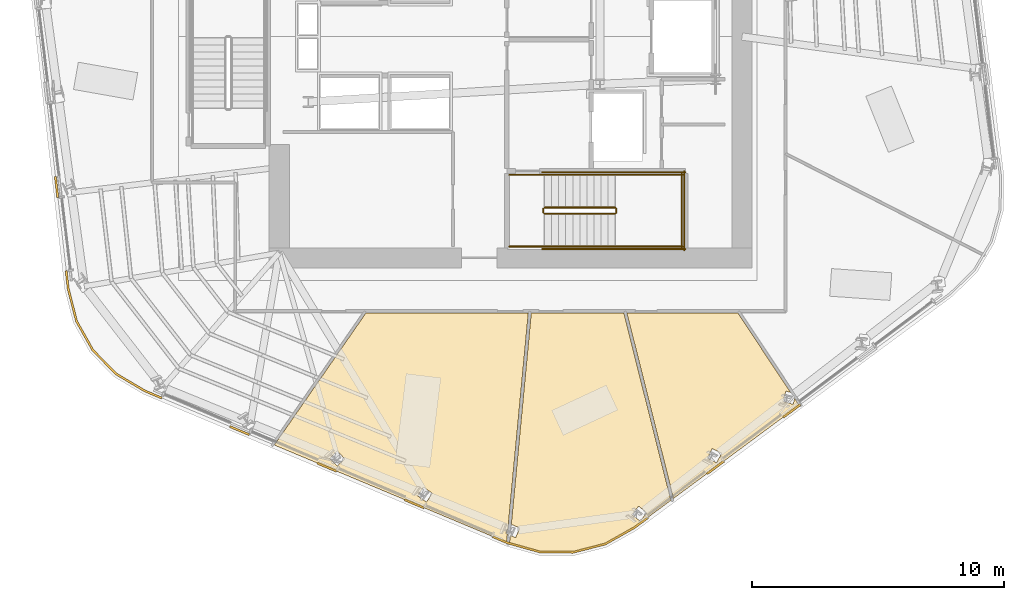
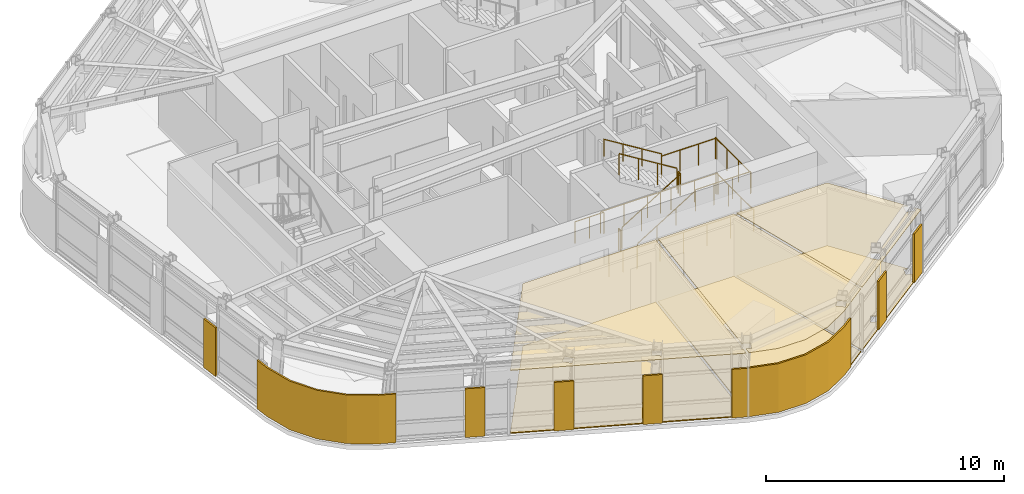
# One storey, part 10 of 14: 14 coverings, 14 railings.
"""IFC4 building model written with IfcOpenShell, lengths in metres."""

from ifc_helpers import new_model, si_unit, direction, frame, origin, origin_2d, place, context, subcontext, project, spatial, polyline, circle, outline, extrude, material, layer, layer_set, type_object, element, save


model = new_model("IFC4")

# Units and contexts
model_context = context("Model", 3, precision=1e-05, world=origin(), true_north=direction((0.0, 1.0)))
body_context = subcontext(model_context, "Body", "Model", "MODEL_VIEW")
ifc_project = project(units=[si_unit("LENGTHUNIT", "METRE"), si_unit("AREAUNIT", "SQUARE_METRE"), si_unit("VOLUMEUNIT", "CUBIC_METRE"), si_unit("PLANEANGLEUNIT", "RADIAN"), si_unit("MASSUNIT", "GRAM", prefix="KILO")], contexts=[model_context])

# Site, building, storey
site_placement = place(None, origin())
site = spatial("IfcSite", under=ifc_project, at=site_placement, CompositionType="ELEMENT")
building_placement = place(site_placement, origin())
building = spatial("IfcBuilding", under=site, at=building_placement, Name="Valkerne Bourse Tower", CompositionType="ELEMENT")
storey_placement = place(building_placement, frame((0.0, 0.0, 181.800048828125)))
storey = spatial("IfcBuildingStorey", under=building, at=storey_placement, Name="L46", CompositionType="ELEMENT", Elevation=181.800048828125)

# Coverings
ifc_material_1 = material(Name="Mineral Fiber Acoustic Ceiling Tile", Category="acoustic")
ifc_layer_1 = layer(ifc_material_1, 0.02490234375)
ifc_layer_set_1 = layer_set([ifc_layer_1], Name="Mineral Fiber Acoustic Ceiling Tile")
covering_type_1 = type_object("IfcCoveringType", Name="COV-CEIL-ACT", PredefinedType="CEILING", material=ifc_layer_set_1)
covering_1_placement = place(storey_placement, frame((0.0, 0.0, 3.22998046875)))
element("IfcCovering", 1, at=covering_1_placement, inside=storey, type_object=covering_type_1, Name="L46 Suspended Ceiling 04", PredefinedType="CEILING", context=body_context, shape_type="SweptSolid", body=[
    extrude(outline(polyline([(55.830078125, 16.010986328125), (57.931884765625, 12.84765625), (57.746337890625, 12.900146484375), (57.744384765625, 12.898681640625), (57.6298828125, 12.490478515625), (58.028076171875, 12.377685546875), (58.0302734375, 12.379150390625), (58.093505859375, 12.6044921875), (58.272216796875, 12.335693359375), (53.274169921875, 8.63330078125), (51.421142578125, 16.010986328125), (55.830078125, 16.010986328125)]), holes=[polyline([(54.989501953125, 10.05126953125), (55.1845703125, 10.427490234375), (54.817626953125, 10.618896484375), (54.815185546875, 10.617919921875), (54.6201171875, 10.24169921875), (54.987060546875, 10.050048828125), (54.989501953125, 10.05126953125)])]), origin(), (0.0, 0.0, 1.0), 0.02490234375),
])
covering_2_placement = place(storey_placement, frame((0.0, 0.0, 3.22998046875)))
element("IfcCovering", 2, at=covering_2_placement, inside=storey, type_object=covering_type_1, Name="L46 Suspended Ceiling 07", PredefinedType="CEILING", context=body_context, shape_type="SweptSolid", body=[
    extrude(outline(polyline([(49.281005859375, 6.499267578125), (47.96142578125, 6.51318359375), (46.75439453125, 6.85009765625), (46.78466796875, 7.168212890625), (46.99462890625, 7.077880859375), (46.99755859375, 7.077880859375), (47.16015625, 7.458984375), (46.82568359375, 7.602783203125), (47.62060546875, 16.010986328125), (51.29931640625, 16.010986328125), (53.171630859375, 8.557373046875), (51.71728515625, 7.47998046875), (50.558837890625, 6.827392578125), (49.281005859375, 6.499267578125)]), holes=[polyline([(52.212158203125, 8.068115234375), (51.887939453125, 8.325439453125), (51.885009765625, 8.32470703125), (51.622802734375, 7.991943359375), (51.947021484375, 7.734619140625), (51.949951171875, 7.7353515625), (52.212158203125, 8.068115234375)])]), origin(), (0.0, 0.0, 1.0), 0.02490234375),
])
covering_3_placement = place(storey_placement, frame((0.0, 0.0, 3.22998046875)))
element("IfcCovering", 3, at=covering_3_placement, inside=storey, type_object=covering_type_1, Name="L46 Suspended Ceiling 09", PredefinedType="CEILING", context=body_context, shape_type="SweptSolid", body=[
    extrude(outline(polyline([(47.501953125, 16.010986328125), (46.692626953125, 7.44873046875), (46.605712890625, 7.2451171875), (46.670654296875, 7.21728515625), (46.6396484375, 6.8876953125), (37.404052734375, 10.7568359375), (41.048828125, 16.010986328125), (47.501953125, 16.010986328125)]), holes=[polyline([(43.336181640625, 9.0751953125), (43.333740234375, 9.07568359375), (43.102294921875, 8.73193359375), (43.453125, 8.49462890625), (43.455810546875, 8.494140625), (43.68701171875, 8.837890625), (43.336181640625, 9.0751953125)]), polyline([(39.908447265625, 10.513671875), (39.906005859375, 10.5146484375), (39.609619140625, 10.225341796875), (39.90478515625, 9.921630859375), (39.906982421875, 9.920654296875), (40.20361328125, 10.2099609375), (39.908447265625, 10.513671875)])]), origin(), (0.0, 0.0, 1.0), 0.02490234375),
])
ifc_material_2 = material(Name="Bronze Anodised Aluminium AA 6063-T6", Category="aluminium")
ifc_layer_2 = layer(ifc_material_2, 0.06005859375)
ifc_layer_set_2 = layer_set([ifc_layer_2], Name="Bronze Anodised Aluminium AA 6063-T6")
covering_type_2 = type_object("IfcCoveringType", Name="COV-CRN-ALUM", PredefinedType="CLADDING", material=ifc_layer_set_2)
covering_4_placement = place(storey_placement, origin())
element("IfcCovering", 4, at=covering_4_placement, inside=storey, type_object=covering_type_2, Name="L46 Wind-Shaped Corner Aluminium Cladding 03", PredefinedType="CLADDING", context=body_context, shape_type="SweptSolid", body=[
    extrude(outline(polyline([(57.664306640625, 11.83056640625), (57.6162109375, 11.89453125), (58.291259765625, 12.39453125), (58.33935546875, 12.330810546875), (57.664306640625, 11.83056640625)])), origin(), (0.0, 0.0, 1.0), 2.5),
])
covering_5_placement = place(storey_placement, origin())
element("IfcCovering", 5, at=covering_5_placement, inside=storey, type_object=covering_type_2, Name="L46 Wind-Shaped Corner Aluminium Cladding 04", PredefinedType="CLADDING", context=body_context, shape_type="SweptSolid", body=[
    extrude(outline(polyline([(54.634033203125, 9.5859375), (54.586181640625, 9.64990234375), (55.260986328125, 10.14990234375), (55.30908203125, 10.0859375), (54.634033203125, 9.5859375)])), origin(), (0.0, 0.0, 1.0), 2.5),
])
covering_6_placement = place(storey_placement, origin())
element("IfcCovering", 6, at=covering_6_placement, inside=storey, type_object=covering_type_2, Name="L46 Wind-Shaped Corner Aluminium Cladding 05", PredefinedType="CLADDING", context=body_context, shape_type="SweptSolid", body=[
    extrude(outline(polyline([(51.7412109375, 7.443115234375), (50.575439453125, 6.7861328125), (49.2861328125, 6.455078125), (47.955078125, 6.46923828125), (46.666259765625, 6.828857421875), (46.04931640625, 7.08740234375), (46.080810546875, 7.160888671875), (46.692626953125, 6.90478515625), (47.966552734375, 6.549072265625), (49.276611328125, 6.535400390625), (50.54541015625, 6.861083984375), (51.69775390625, 7.51025390625), (52.230712890625, 7.9052734375), (52.27880859375, 7.84130859375), (51.7412109375, 7.443115234375)])), origin(), (0.0, 0.0, 1.0), 2.5),
])
covering_7_placement = place(storey_placement, origin())
element("IfcCovering", 7, at=covering_7_placement, inside=storey, type_object=covering_type_2, Name="L46 Wind-Shaped Corner Aluminium Cladding 06", PredefinedType="CLADDING", context=body_context, shape_type="SweptSolid", body=[
    extrude(outline(polyline([(42.5712890625, 8.54443359375), (42.6025390625, 8.6181640625), (43.377197265625, 8.29345703125), (43.345947265625, 8.219970703125), (42.5712890625, 8.54443359375)])), origin(), (0.0, 0.0, 1.0), 2.5),
])
covering_8_placement = place(storey_placement, origin())
element("IfcCovering", 8, at=covering_8_placement, inside=storey, type_object=covering_type_2, Name="L46 Wind-Shaped Corner Aluminium Cladding 07", PredefinedType="CLADDING", context=body_context, shape_type="SweptSolid", body=[
    extrude(outline(polyline([(39.093017578125, 10.001708984375), (39.124267578125, 10.0751953125), (39.899169921875, 9.750732421875), (39.86767578125, 9.677001953125), (39.093017578125, 10.001708984375)])), origin(), (0.0, 0.0, 1.0), 2.5),
])
covering_9_placement = place(storey_placement, origin())
element("IfcCovering", 9, at=covering_9_placement, inside=storey, type_object=covering_type_2, Name="L46 Wind-Shaped Corner Aluminium Cladding 08", PredefinedType="CLADDING", context=body_context, shape_type="SweptSolid", body=[
    extrude(outline(polyline([(35.61474609375, 11.458740234375), (35.646240234375, 11.5322265625), (36.4208984375, 11.207763671875), (36.389404296875, 11.13427734375), (35.61474609375, 11.458740234375)])), origin(), (0.0, 0.0, 1.0), 2.5),
])
covering_10_placement = place(storey_placement, origin())
element("IfcCovering", 10, at=covering_10_placement, inside=storey, type_object=covering_type_2, Name="L46 Wind-Shaped Corner Aluminium Cladding 09", PredefinedType="CLADDING", context=body_context, shape_type="SweptSolid", body=[
    extrude(outline(polyline([(32.239990234375, 12.87255859375), (31.0888671875, 13.553466796875), (30.157470703125, 14.50439453125), (29.50390625, 15.6640625), (29.17138671875, 16.95947265625), (29.088623046875, 17.682861328125), (29.16796875, 17.6923828125), (29.250244140625, 16.97412109375), (29.578857421875, 15.694091796875), (30.221923828125, 14.552978515625), (31.138671875, 13.616943359375), (32.27587890625, 12.944091796875), (32.942626953125, 12.664794921875), (32.911376953125, 12.59130859375), (32.239990234375, 12.87255859375)])), origin(), (0.0, 0.0, 1.0), 2.5),
])
covering_11_placement = place(storey_placement, origin())
element("IfcCovering", 11, at=covering_11_placement, inside=storey, type_object=covering_type_2, Name="L46 Wind-Shaped Corner Aluminium Cladding 10", PredefinedType="CLADDING", context=body_context, shape_type="SweptSolid", body=[
    extrude(outline(polyline([(28.65966796875, 21.42919921875), (28.739013671875, 21.43896484375), (28.834716796875, 20.604248046875), (28.755126953125, 20.5947265625), (28.65966796875, 21.42919921875)])), origin(), (0.0, 0.0, 1.0), 2.5),
])
ifc_material_3 = material(Name="Galvanised Painted Steel", Category="steel")
ifc_layer_3 = layer(ifc_material_3, 0.044921875)
ifc_layer_set_3 = layer_set([ifc_layer_3], Name="Galvanised Painted Steel")
covering_type_3 = type_object("IfcCoveringType", Name="COV-FLR-RAF", PredefinedType="FLOORING", material=ifc_layer_set_3)
covering_12_placement = place(storey_placement, origin())
element("IfcCovering", 12, at=covering_12_placement, inside=storey, type_object=covering_type_3, Name="L46 Floor Finish 07", PredefinedType="FLOORING", context=body_context, shape_type="SweptSolid", body=[
    extrude(outline(polyline([(49.281005859375, 6.499267578125), (47.96142578125, 6.51318359375), (46.75439453125, 6.85009765625), (46.78466796875, 7.168212890625), (46.99462890625, 7.077880859375), (46.99755859375, 7.077880859375), (47.16015625, 7.458984375), (46.82568359375, 7.602783203125), (47.62060546875, 16.010986328125), (51.29931640625, 16.010986328125), (53.171630859375, 8.557373046875), (51.71728515625, 7.47998046875), (50.558837890625, 6.827392578125), (49.281005859375, 6.499267578125)]), holes=[polyline([(52.212158203125, 8.068115234375), (51.887939453125, 8.325439453125), (51.885009765625, 8.32470703125), (51.622802734375, 7.991943359375), (51.947021484375, 7.734619140625), (51.949951171875, 7.7353515625), (52.212158203125, 8.068115234375)])]), origin(), (0.0, 0.0, 1.0), 0.044921875),
])
covering_13_placement = place(storey_placement, origin())
element("IfcCovering", 13, at=covering_13_placement, inside=storey, type_object=covering_type_3, Name="L46 Floor Finish 09", PredefinedType="FLOORING", context=body_context, shape_type="SweptSolid", body=[
    extrude(outline(polyline([(47.501953125, 16.010986328125), (46.692626953125, 7.44873046875), (46.605712890625, 7.2451171875), (46.670654296875, 7.21728515625), (46.6396484375, 6.8876953125), (37.404052734375, 10.7568359375), (41.048828125, 16.010986328125), (47.501953125, 16.010986328125)]), holes=[polyline([(43.336181640625, 9.0751953125), (43.333740234375, 9.07568359375), (43.102294921875, 8.73193359375), (43.453125, 8.49462890625), (43.455810546875, 8.494140625), (43.68701171875, 8.837890625), (43.336181640625, 9.0751953125)]), polyline([(39.908447265625, 10.513671875), (39.906005859375, 10.5146484375), (39.609619140625, 10.225341796875), (39.90478515625, 9.921630859375), (39.906982421875, 9.920654296875), (40.20361328125, 10.2099609375), (39.908447265625, 10.513671875)])]), origin(), (0.0, 0.0, 1.0), 0.044921875),
])
ifc_material_4 = material(Name="Polished Granite Stone", Category="masonry")
ifc_layer_4 = layer(ifc_material_4, 0.030029296875)
ifc_layer_set_4 = layer_set([ifc_layer_4], Name="Polished Granite Stone")
covering_type_4 = type_object("IfcCoveringType", Name="COV-FLR-TERRAZZO", PredefinedType="FLOORING", material=ifc_layer_set_4)
covering_14_placement = place(storey_placement, origin())
element("IfcCovering", 14, at=covering_14_placement, inside=storey, type_object=covering_type_4, Name="L46 Floor Finish 04", PredefinedType="FLOORING", context=body_context, shape_type="SweptSolid", body=[
    extrude(outline(polyline([(55.830078125, 16.010986328125), (57.931884765625, 12.84765625), (57.746337890625, 12.900146484375), (57.744384765625, 12.898681640625), (57.6298828125, 12.490478515625), (58.028076171875, 12.377685546875), (58.0302734375, 12.379150390625), (58.093505859375, 12.6044921875), (58.272216796875, 12.335693359375), (53.274169921875, 8.63330078125), (51.421142578125, 16.010986328125), (55.830078125, 16.010986328125)]), holes=[polyline([(54.989501953125, 10.05126953125), (55.1845703125, 10.427490234375), (54.817626953125, 10.618896484375), (54.815185546875, 10.617919921875), (54.6201171875, 10.24169921875), (54.987060546875, 10.050048828125), (54.989501953125, 10.05126953125)])]), origin(), (0.0, 0.0, 1.0), 0.030029296875),
])

# Railings
railing_type_1 = type_object("IfcRailingType", Name="RLG-ST-GUARD-1120", PredefinedType="GUARDRAIL", material=ifc_material_3)
railing_1_placement = place(storey_placement, frame((48.14990234375, 19.949951171875, 0.172607421875)))
element("IfcRailing", 15, at=railing_1_placement, inside=storey, type_object=railing_type_1, Name="L46 ST-1 stair guard 1", PredefinedType="GUARDRAIL", context=body_context, shape_type="SweptSolid", body=[
    extrude(circle(Radius=0.02392578125, at=origin_2d()), frame((0.0, 0.0, 1.09619140625), z_axis=(0.851089632645, 0.0, 0.525020415988), x_axis=(0.0, 1.0, 0.0)), (0.0, 0.0, 1.0), 3.2900390625),
    extrude(circle(Radius=0.02099609375, at=origin_2d()), origin(), (0.0, 0.0, 1.0), 1.072021484375),
    extrude(circle(Radius=0.02099609375, at=origin_2d()), frame((0.933349609375, 0.0, 0.57568359375)), (0.0, 0.0, 1.0), 1.072021484375),
    extrude(circle(Radius=0.02099609375, at=origin_2d()), frame((1.86669921875, 0.0, 1.151611328125)), (0.0, 0.0, 1.0), 1.072021484375),
    extrude(circle(Radius=0.02099609375, at=origin_2d()), frame((2.800048828125, 0.0, 1.727294921875)), (0.0, 0.0, 1.0), 1.072021484375),
])
railing_2_placement = place(storey_placement, frame((51.0, 20.0, 1.89990234375)))
element("IfcRailing", 16, at=railing_2_placement, inside=storey, type_object=railing_type_1, Name="L46 ST-1 stair guard 2", PredefinedType="GUARDRAIL", context=body_context, shape_type="SweptSolid", body=[
    extrude(circle(Radius=0.02392578125, at=origin_2d()), frame((0.0, 0.0, 1.09619140625), z_axis=(0.0, 1.0, 0.0), x_axis=(-1.0, 0.0, 0.0)), (0.0, 0.0, 1.0), 0.14990234375),
    extrude(circle(Radius=0.02099609375, at=origin_2d()), origin(), (0.0, 0.0, 1.0), 1.072021484375),
    extrude(circle(Radius=0.02099609375, at=origin_2d()), frame((0.0, 0.14990234375, 0.0)), (0.0, 0.0, 1.0), 1.072021484375),
])
for number, where, name in (
    (17, (50.949951171875, 18.64990234375, 1.89990234375), "L46 ST-1 stair guard 3"),
    (18, (50.949951171875, 21.5, 1.89990234375), "L46 ST-1 stair guard 4"),
):
    element("IfcRailing", number, at=place(storey_placement, frame(where)), inside=storey, type_object=railing_type_1, Name=name, PredefinedType="GUARDRAIL", context=body_context, shape_type="SweptSolid", body=[
        extrude(circle(Radius=0.02392578125, at=origin_2d()), frame((0.0, 0.0, 1.09619140625), z_axis=(1.0, 0.0, 0.0), x_axis=(0.0, 1.0, 0.0)), (0.0, 0.0, 1.0), 2.699951171875),
        extrude(circle(Radius=0.02099609375, at=origin_2d()), origin(), (0.0, 0.0, 1.0), 1.072021484375),
        extrude(circle(Radius=0.02099609375, at=origin_2d()), frame((0.89990234375, 0.0, 0.0)), (0.0, 0.0, 1.0), 1.072021484375),
        extrude(circle(Radius=0.02099609375, at=origin_2d()), frame((1.800048828125, 0.0, 0.0)), (0.0, 0.0, 1.0), 1.072021484375),
        extrude(circle(Radius=0.02099609375, at=origin_2d()), frame((2.699951171875, 0.0, 0.0)), (0.0, 0.0, 1.0), 1.072021484375),
    ])
railing_3_placement = place(storey_placement, frame((53.60009765625, 18.60009765625, 1.89990234375)))
element("IfcRailing", 19, at=railing_3_placement, inside=storey, type_object=railing_type_1, Name="L46 ST-1 stair guard 5", PredefinedType="GUARDRAIL", context=body_context, shape_type="SweptSolid", body=[
    extrude(circle(Radius=0.02392578125, at=origin_2d()), frame((0.0, 0.0, 1.09619140625), z_axis=(0.0, 1.0, 0.0), x_axis=(-1.0, 0.0, 0.0)), (0.0, 0.0, 1.0), 2.949951171875),
    extrude(circle(Radius=0.02099609375, at=origin_2d()), origin(), (0.0, 0.0, 1.0), 1.072021484375),
    extrude(circle(Radius=0.02099609375, at=origin_2d()), frame((0.0, 0.9833984375, 0.0)), (0.0, 0.0, 1.0), 1.072021484375),
    extrude(circle(Radius=0.02099609375, at=origin_2d()), frame((0.0, 1.966552734375, 0.0)), (0.0, 0.0, 1.0), 1.072021484375),
    extrude(circle(Radius=0.02099609375, at=origin_2d()), frame((0.0, 2.949951171875, 0.0)), (0.0, 0.0, 1.0), 1.072021484375),
])
railing_4_placement = place(storey_placement, frame((50.949951171875, 20.199951171875, 2.07275390625)))
element("IfcRailing", 20, at=railing_4_placement, inside=storey, type_object=railing_type_1, Name="L46 ST-1 stair guard 6", PredefinedType="GUARDRAIL", context=body_context, shape_type="SweptSolid", body=[
    extrude(circle(Radius=0.02392578125, at=origin_2d()), frame((0.0, 0.0, 1.09619140625), z_axis=(-0.851089632645, 0.0, 0.525020415988), x_axis=(0.0, -1.0, 0.0)), (0.0, 0.0, 1.0), 3.2900390625),
    extrude(circle(Radius=0.02099609375, at=origin_2d()), origin(), (0.0, 0.0, 1.0), 1.072021484375),
    extrude(circle(Radius=0.02099609375, at=origin_2d()), frame((-0.933349609375, 0.0, 0.57568359375)), (0.0, 0.0, 1.0), 1.072021484375),
    extrude(circle(Radius=0.02099609375, at=origin_2d()), frame((-1.86669921875, 0.0, 1.151611328125)), (0.0, 0.0, 1.0), 1.072021484375),
    extrude(circle(Radius=0.02099609375, at=origin_2d()), frame((-2.800048828125, 0.0, 1.727294921875)), (0.0, 0.0, 1.0), 1.072021484375),
])
railing_5_placement = place(storey_placement, frame((48.10009765625, 20.0, 0.0)))
element("IfcRailing", 21, at=railing_5_placement, inside=storey, type_object=railing_type_1, Name="L46 ST-1 stair guard 7", PredefinedType="GUARDRAIL", context=body_context, shape_type="SweptSolid", body=[
    extrude(circle(Radius=0.02392578125, at=origin_2d()), frame((0.0, 0.0, 1.09619140625), z_axis=(0.0, 1.0, 0.0), x_axis=(-1.0, 0.0, 0.0)), (0.0, 0.0, 1.0), 0.14990234375),
    extrude(circle(Radius=0.02099609375, at=origin_2d()), origin(), (0.0, 0.0, 1.0), 1.072021484375),
    extrude(circle(Radius=0.02099609375, at=origin_2d()), frame((0.0, 0.14990234375, 0.0)), (0.0, 0.0, 1.0), 1.072021484375),
])
for number, where, name in (
    (22, (46.75, 18.64990234375, 0.0), "L46 ST-1 stair guard 8"),
    (23, (46.75, 21.5, 0.0), "L46 ST-1 stair guard 9"),
):
    element("IfcRailing", number, at=place(storey_placement, frame(where)), inside=storey, type_object=railing_type_1, Name=name, PredefinedType="GUARDRAIL", context=body_context, shape_type="SweptSolid", body=[
        extrude(circle(Radius=0.02392578125, at=origin_2d()), frame((0.0, 0.0, 1.09619140625), z_axis=(1.0, 0.0, 0.0), x_axis=(0.0, 1.0, 0.0)), (0.0, 0.0, 1.0), 1.39990234375),
        extrude(circle(Radius=0.02099609375, at=origin_2d()), origin(), (0.0, 0.0, 1.0), 1.072021484375),
        extrude(circle(Radius=0.02099609375, at=origin_2d()), frame((0.699951171875, 0.0, 0.0)), (0.0, 0.0, 1.0), 1.072021484375),
        extrude(circle(Radius=0.02099609375, at=origin_2d()), frame((1.39990234375, 0.0, 0.0)), (0.0, 0.0, 1.0), 1.072021484375),
    ])
for number, where, name in (
    (24, (48.050048828125, 18.550048828125, 0.0), "L46 ST-1 stair guard 10"),
    (25, (48.050048828125, 21.60009765625, 0.0), "L46 ST-1 stair guard 11"),
):
    element("IfcRailing", number, at=place(storey_placement, frame(where)), inside=storey, type_object=railing_type_1, Name=name, PredefinedType="GUARDRAIL", context=body_context, shape_type="SweptSolid", body=[
        extrude(circle(Radius=0.02392578125, at=origin_2d()), frame((0.0, 0.0, 1.09619140625), z_axis=(1.0, 0.0, 0.0), x_axis=(0.0, 1.0, 0.0)), (0.0, 0.0, 1.0), 5.699951171875),
        extrude(circle(Radius=0.02099609375, at=origin_2d()), origin(), (0.0, 0.0, 1.0), 1.072021484375),
        extrude(circle(Radius=0.02099609375, at=origin_2d()), frame((1.139892578125, 0.0, 0.0)), (0.0, 0.0, 1.0), 1.072021484375),
        extrude(circle(Radius=0.02099609375, at=origin_2d()), frame((2.280029296875, 0.0, 0.0)), (0.0, 0.0, 1.0), 1.072021484375),
        extrude(circle(Radius=0.02099609375, at=origin_2d()), frame((3.419921875, 0.0, 0.0)), (0.0, 0.0, 1.0), 1.072021484375),
        extrude(circle(Radius=0.02099609375, at=origin_2d()), frame((4.56005859375, 0.0, 0.0)), (0.0, 0.0, 1.0), 1.072021484375),
        extrude(circle(Radius=0.02099609375, at=origin_2d()), frame((5.699951171875, 0.0, 0.0)), (0.0, 0.0, 1.0), 1.072021484375),
    ])
railing_6_placement = place(storey_placement, frame((53.699951171875, 18.5, 0.0)))
element("IfcRailing", 26, at=railing_6_placement, inside=storey, type_object=railing_type_1, Name="L46 ST-1 stair guard 12", PredefinedType="GUARDRAIL", context=body_context, shape_type="SweptSolid", body=[
    extrude(circle(Radius=0.02392578125, at=origin_2d()), frame((0.0, 0.0, 1.09619140625), z_axis=(0.0, 1.0, 0.0), x_axis=(-1.0, 0.0, 0.0)), (0.0, 0.0, 1.0), 3.14990234375),
    extrude(circle(Radius=0.02099609375, at=origin_2d()), origin(), (0.0, 0.0, 1.0), 1.072021484375),
    extrude(circle(Radius=0.02099609375, at=origin_2d()), frame((0.0, 1.050048828125, 0.0)), (0.0, 0.0, 1.0), 1.072021484375),
    extrude(circle(Radius=0.02099609375, at=origin_2d()), frame((0.0, 2.099853515625, 0.0)), (0.0, 0.0, 1.0), 1.072021484375),
    extrude(circle(Radius=0.02099609375, at=origin_2d()), frame((0.0, 3.14990234375, 0.0)), (0.0, 0.0, 1.0), 1.072021484375),
])
ifc_material_5 = material(Name="Stainless Steel AISI 316", Category="steel")
railing_type_2 = type_object("IfcRailingType", Name="RLG-ST-HANDRAIL-900", PredefinedType="HANDRAIL", material=ifc_material_5)
railing_7_placement = place(storey_placement, frame((48.14990234375, 18.64990234375, 0.345458984375)))
element("IfcRailing", 27, at=railing_7_placement, inside=storey, type_object=railing_type_2, Name="L46 ST-1 stair handrail 1", PredefinedType="HANDRAIL", context=body_context, shape_type="SweptSolid", body=[
    extrude(circle(Radius=0.02392578125, at=origin_2d()), frame((0.0, 0.0, 0.8759765625), z_axis=(0.851089632645, 0.0, 0.525020415988), x_axis=(0.0, 1.0, 0.0)), (0.0, 0.0, 1.0), 3.2900390625),
    extrude(circle(Radius=0.02099609375, at=origin_2d()), origin(), (0.0, 0.0, 1.0), 0.851806640625),
    extrude(circle(Radius=0.02099609375, at=origin_2d()), frame((0.933349609375, 0.0, 0.57568359375)), (0.0, 0.0, 1.0), 0.851806640625),
    extrude(circle(Radius=0.02099609375, at=origin_2d()), frame((1.86669921875, 0.0, 1.151611328125)), (0.0, 0.0, 1.0), 0.851806640625),
    extrude(circle(Radius=0.02099609375, at=origin_2d()), frame((2.800048828125, 0.0, 1.727294921875)), (0.0, 0.0, 1.0), 0.851806640625),
])
railing_8_placement = place(storey_placement, frame((50.949951171875, 21.5, 2.245361328125)))
element("IfcRailing", 28, at=railing_8_placement, inside=storey, type_object=railing_type_2, Name="L46 ST-1 stair handrail 2", PredefinedType="HANDRAIL", context=body_context, shape_type="SweptSolid", body=[
    extrude(circle(Radius=0.02392578125, at=origin_2d()), frame((0.0, 0.0, 0.8759765625), z_axis=(-0.851089632645, 0.0, 0.525020415988), x_axis=(0.0, -1.0, 0.0)), (0.0, 0.0, 1.0), 3.2900390625),
    extrude(circle(Radius=0.02099609375, at=origin_2d()), origin(), (0.0, 0.0, 1.0), 0.851806640625),
    extrude(circle(Radius=0.02099609375, at=origin_2d()), frame((-0.933349609375, 0.0, 0.57568359375)), (0.0, 0.0, 1.0), 0.851806640625),
    extrude(circle(Radius=0.02099609375, at=origin_2d()), frame((-1.86669921875, 0.0, 1.151611328125)), (0.0, 0.0, 1.0), 0.851806640625),
    extrude(circle(Radius=0.02099609375, at=origin_2d()), frame((-2.800048828125, 0.0, 1.727294921875)), (0.0, 0.0, 1.0), 0.851806640625),
])

save(model, "model.ifc")
